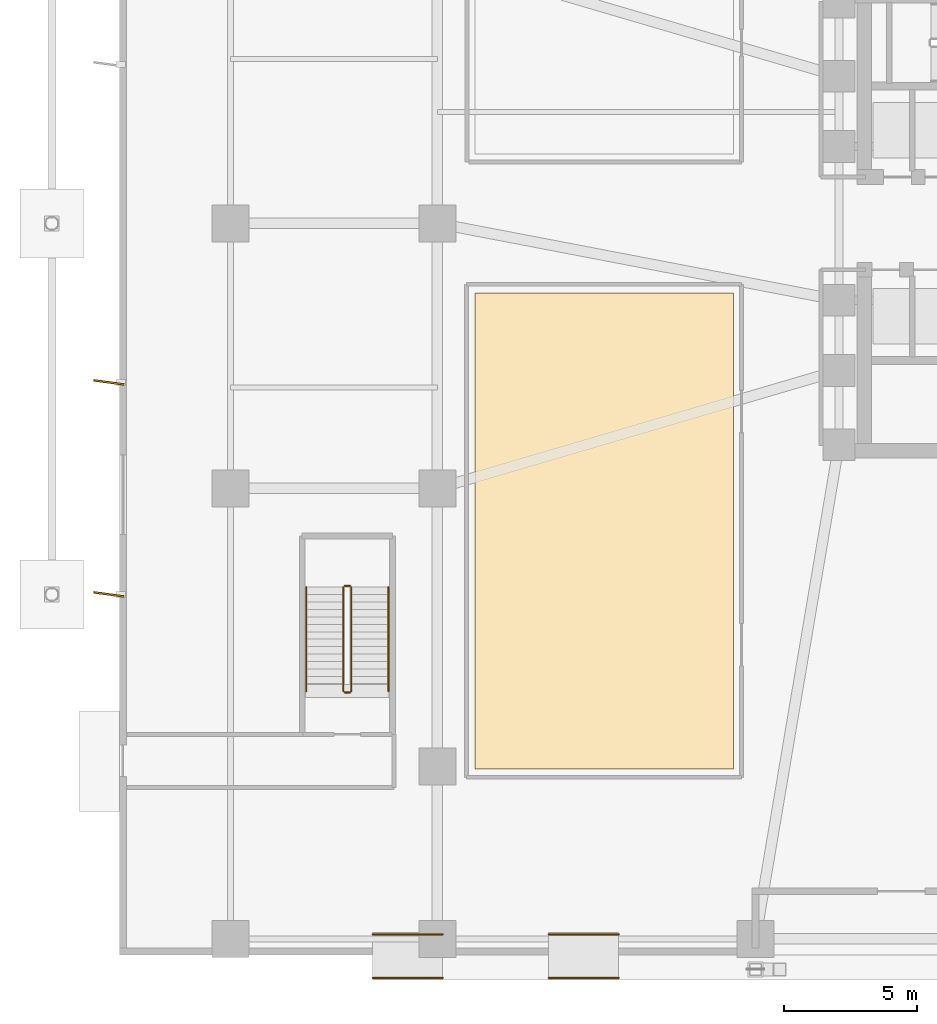
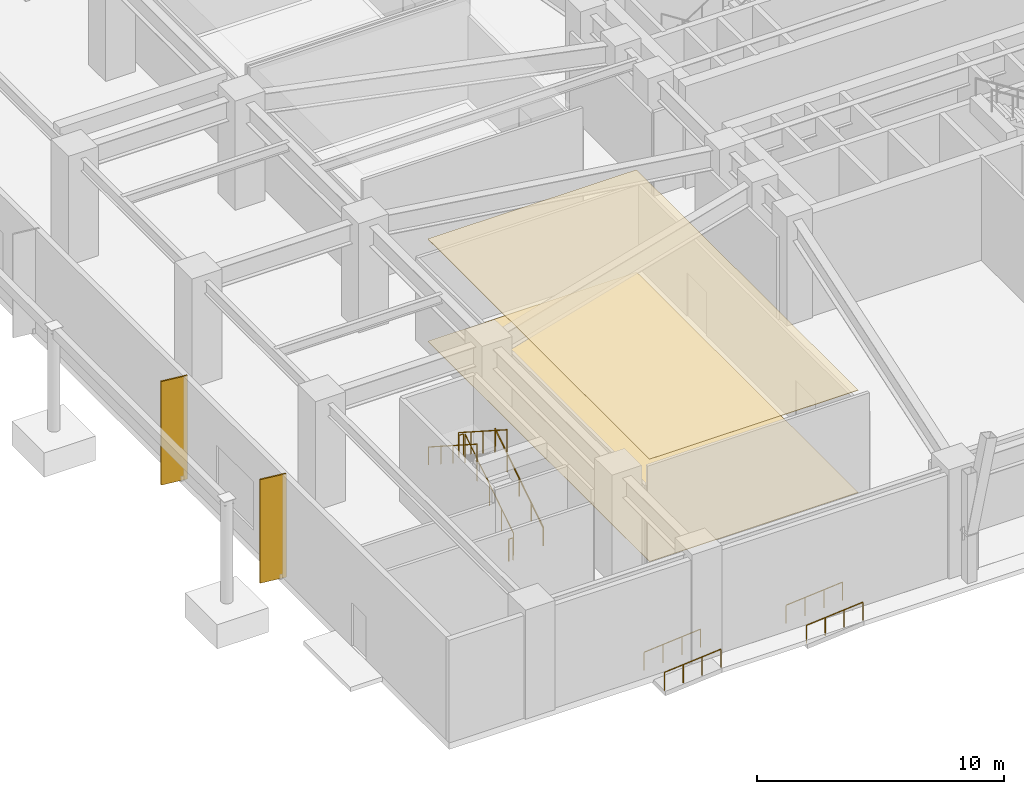
# One storey, part 15 of 20: 10 railings, 2 coverings, 2 shading devices.
"""IFC4 building model written with IfcOpenShell, lengths in metres."""

from ifc_helpers import new_model, si_unit, direction, frame, origin, origin_2d, place, context, subcontext, project, spatial, polyline, rectangle, circle, outline, extrude, material, layer, layer_set, type_object, element, save


model = new_model("IFC4")

# Units and contexts
model_context = context("Model", 3, precision=1e-05, world=origin(), true_north=direction((0.0, 1.0)))
body_context = subcontext(model_context, "Body", "Model", "MODEL_VIEW")
ifc_project = project(units=[si_unit("LENGTHUNIT", "METRE"), si_unit("AREAUNIT", "SQUARE_METRE"), si_unit("VOLUMEUNIT", "CUBIC_METRE"), si_unit("PLANEANGLEUNIT", "RADIAN"), si_unit("MASSUNIT", "GRAM", prefix="KILO")], contexts=[model_context])

# Site, building, storey
site_placement = place(None, origin())
site = spatial("IfcSite", under=ifc_project, at=site_placement, CompositionType="ELEMENT")
building_placement = place(site_placement, origin())
building = spatial("IfcBuilding", under=site, at=building_placement, Name="Solmarez Civic Tower", CompositionType="ELEMENT")
storey_placement = place(building_placement, origin())
storey = spatial("IfcBuildingStorey", under=building, at=storey_placement, Name="L00", CompositionType="ELEMENT", Elevation=0.0)

# Coverings
ifc_material_1 = material(Name="Perforated Mineral-Fibre Acoustic Ceiling")
ifc_layer_1 = layer(ifc_material_1, 0.02490234375)
ifc_layer_set_1 = layer_set([ifc_layer_1], Name="Perforated Mineral-Fibre Acoustic Ceiling")
covering_type_1 = type_object("IfcCoveringType", Name="COV-CEIL-ACOUSTIC", PredefinedType="CEILING", material=ifc_layer_set_1)
covering_1_placement = place(storey_placement, frame((0.0, 0.0, 5.054931640625)))
element("IfcCovering", 1, at=covering_1_placement, inside=storey, type_object=covering_type_1, Name="L00 Suspended Acoustic Ceiling 1", PredefinedType="CEILING", context=body_context, shape_type="SweptSolid", body=[
    extrude(outline(polyline([(-12.820068359375, -20.580078125), (-12.820068359375, -2.6201171875), (-22.580078125, -2.6201171875), (-22.580078125, -20.580078125), (-12.820068359375, -20.580078125)])), origin(), (0.0, 0.0, 1.0), 0.025146484375),
])
ifc_material_2 = material(Name="Polished Tropical Stone Terrazzo Flooring", Category="masonry")
ifc_layer_2 = layer(ifc_material_2, 0.02001953125)
ifc_layer_set_2 = layer_set([ifc_layer_2], Name="Polished Tropical Stone Terrazzo Flooring")
covering_type_2 = type_object("IfcCoveringType", Name="COV-FLOOR-TERRAZZO", PredefinedType="FLOORING", material=ifc_layer_set_2)
covering_2_placement = place(storey_placement, origin())
element("IfcCovering", 2, at=covering_2_placement, inside=storey, type_object=covering_type_2, Name="L00 Terrazzo Floor Finish 1", PredefinedType="FLOORING", context=body_context, shape_type="SweptSolid", body=[
    extrude(outline(polyline([(-12.820068359375, -20.580078125), (-12.820068359375, -2.6201171875), (-22.580078125, -2.6201171875), (-22.580078125, -20.580078125), (-12.820068359375, -20.580078125)])), origin(), (0.0, 0.0, 1.0), 0.02001953125),
])

# Shading devices
ifc_material_3 = material(Name="Bronze Anodised Aluminium EN AW-6063 T6", Category="aluminium")
ifc_layer_3 = layer(ifc_material_3, 0.070068359375)
ifc_layer_set_3 = layer_set([ifc_layer_3], Name="Bronze Anodised Aluminium EN AW-6063 T6")
shading_device_type = type_object("IfcShadingDeviceType", Name="FIN-BRONZE-POD", PredefinedType="USERDEFINED", material=ifc_layer_set_3)
for number, where, z_axis, x_axis, name in (
    (3, (-36.39501953125, -14.0, -0.0400390625), (0.0, 0.0, 1.0), (-0.990983199715, 0.133986185418, 0.0), "L00 Anodised Bronze Solar Fin FIN-L00-W1"),
    (4, (-36.39501953125, -6.0, -0.0400390625), (0.0, 0.0, 1.0), (-0.990983199715, 0.133986185418, 0.0), "L00 Anodised Bronze Solar Fin FIN-L00-W2"),
):
    element("IfcShadingDevice", number, at=place(storey_placement, frame(where, z_axis=z_axis, x_axis=x_axis)), inside=storey, type_object=shading_device_type, Name=name, ObjectType="FIN", PredefinedType="USERDEFINED", context=body_context, shape_type="SweptSolid", body=[
        extrude(rectangle(XDim=1.14990234375, YDim=0.070068359375, at=origin_2d()), origin(), (0.0, 0.0, 1.0), 5.1201171875),
    ])

# Railings
ifc_material_4 = material(Name="Painted Steel Stairwell Safety Guard", Category="steel")
railing_type_1 = type_object("IfcRailingType", Name="GUARD-STAIR-1120", PredefinedType="BALUSTRADE", material=ifc_material_4)
railing_1_placement = place(storey_placement, frame((-27.25, -17.64990234375, 0.179931640625)))
element("IfcRailing", 5, at=railing_1_placement, inside=storey, type_object=railing_type_1, Name="L00 ST-P1 stair guard 1", PredefinedType="BALUSTRADE", context=body_context, shape_type="SweptSolid", body=[
    extrude(circle(Radius=0.02392578125, at=origin_2d()), frame((0.0, 0.0, 1.09619140625), z_axis=(0.0, 0.841171666519, 0.540768182723), x_axis=(-1.0, 0.0, 0.0)), (0.0, 0.0, 1.0), 4.66015625),
    extrude(circle(Radius=0.02099609375, at=origin_2d()), origin(), (0.0, 0.0, 1.0), 1.072021484375),
    extrude(circle(Radius=0.02099609375, at=origin_2d()), frame((0.0, 0.97998046875, 0.6298828125)), (0.0, 0.0, 1.0), 1.072021484375),
    extrude(circle(Radius=0.02099609375, at=origin_2d()), frame((0.0, 1.9599609375, 1.260009765625)), (0.0, 0.0, 1.0), 1.072021484375),
    extrude(circle(Radius=0.02099609375, at=origin_2d()), frame((0.0, 2.93994140625, 1.89013671875)), (0.0, 0.0, 1.0), 1.072021484375),
    extrude(circle(Radius=0.02099609375, at=origin_2d()), frame((0.0, 3.919921875, 2.52001953125)), (0.0, 0.0, 1.0), 1.072021484375),
])
railing_2_placement = place(storey_placement, frame((-27.300048828125, -13.679931640625, 2.699951171875)))
element("IfcRailing", 6, at=railing_2_placement, inside=storey, type_object=railing_type_1, Name="L00 ST-P1 stair guard 2", PredefinedType="BALUSTRADE", context=body_context, shape_type="SweptSolid", body=[
    extrude(circle(Radius=0.02392578125, at=origin_2d()), frame((0.0, 0.0, 1.09619140625), z_axis=(-1.0, 0.0, 0.0), x_axis=(0.0, -1.0, 0.0)), (0.0, 0.0, 1.0), 0.199951171875),
    extrude(circle(Radius=0.02099609375, at=origin_2d()), origin(), (0.0, 0.0, 1.0), 1.072021484375),
    extrude(circle(Radius=0.02099609375, at=origin_2d()), frame((-0.199951171875, 0.0, 0.0)), (0.0, 0.0, 1.0), 1.072021484375),
])
railing_3_placement = place(storey_placement, frame((-27.550048828125, -13.72998046875, 2.8798828125)))
element("IfcRailing", 7, at=railing_3_placement, inside=storey, type_object=railing_type_1, Name="L00 ST-P1 stair guard 3", PredefinedType="BALUSTRADE", context=body_context, shape_type="SweptSolid", body=[
    extrude(circle(Radius=0.02392578125, at=origin_2d()), frame((0.0, 0.0, 1.09619140625), z_axis=(0.0, -0.841171666519, 0.540768182723), x_axis=(1.0, 0.0, 0.0)), (0.0, 0.0, 1.0), 4.66015625),
    extrude(circle(Radius=0.02099609375, at=origin_2d()), origin(), (0.0, 0.0, 1.0), 1.072021484375),
    extrude(circle(Radius=0.02099609375, at=origin_2d()), frame((0.0, -0.97998046875, 0.6298828125)), (0.0, 0.0, 1.0), 1.072021484375),
    extrude(circle(Radius=0.02099609375, at=origin_2d()), frame((0.0, -1.9599609375, 1.260009765625)), (0.0, 0.0, 1.0), 1.072021484375),
    extrude(circle(Radius=0.02099609375, at=origin_2d()), frame((0.0, -2.93994140625, 1.89013671875)), (0.0, 0.0, 1.0), 1.072021484375),
    extrude(circle(Radius=0.02099609375, at=origin_2d()), frame((0.0, -3.919921875, 2.52001953125)), (0.0, 0.0, 1.0), 1.072021484375),
])
railing_4_placement = place(storey_placement, frame((-27.300048828125, -17.699951171875, 0.0)))
element("IfcRailing", 8, at=railing_4_placement, inside=storey, type_object=railing_type_1, Name="L00 ST-P1 stair guard 4", PredefinedType="BALUSTRADE", context=body_context, shape_type="SweptSolid", body=[
    extrude(circle(Radius=0.02392578125, at=origin_2d()), frame((0.0, 0.0, 1.09619140625), z_axis=(-1.0, 0.0, 0.0), x_axis=(0.0, -1.0, 0.0)), (0.0, 0.0, 1.0), 0.199951171875),
    extrude(circle(Radius=0.02099609375, at=origin_2d()), origin(), (0.0, 0.0, 1.0), 1.072021484375),
    extrude(circle(Radius=0.02099609375, at=origin_2d()), frame((-0.199951171875, 0.0, 0.0)), (0.0, 0.0, 1.0), 1.072021484375),
])
ifc_material_5 = material(Name="Brushed Stainless Steel Ramp Handrail", Category="steel")
railing_type_2 = type_object("IfcRailingType", Name="HANDRAIL-RAMP-920", PredefinedType="HANDRAIL", material=ifc_material_5)
for number, where, name in (
    (9, (-19.800048828125, -28.469970703125, -0.219970703125), "South-Central West Plaza Accessible Ramp AR4 Side Handrail 1"),
    (10, (-19.800048828125, -26.830078125, -0.219970703125), "South-Central West Plaza Accessible Ramp AR4 Side Handrail 2"),
):
    element("IfcRailing", number, at=place(storey_placement, frame(where)), inside=storey, type_object=railing_type_2, Name=name, PredefinedType="HANDRAIL", context=body_context, shape_type="SweptSolid", body=[
        extrude(circle(Radius=0.02392578125, at=origin_2d()), frame((0.0, 0.0, 0.89599609375), z_axis=(0.99654702921, 0.0, 0.083030226865), x_axis=(0.0, 1.0, 0.0)), (0.0, 0.0, 1.0), 2.649169921875),
        extrude(circle(Radius=0.02099609375, at=origin_2d()), origin(), (0.0, 0.0, 1.0), 0.871826171875),
        extrude(circle(Radius=0.02099609375, at=origin_2d()), frame((0.880126953125, 0.0, 0.0732421875)), (0.0, 0.0, 1.0), 0.871826171875),
        extrude(circle(Radius=0.02099609375, at=origin_2d()), frame((1.760009765625, 0.0, 0.146728515625)), (0.0, 0.0, 1.0), 0.871826171875),
        extrude(circle(Radius=0.02099609375, at=origin_2d()), frame((2.64013671875, 0.0, 0.219970703125)), (0.0, 0.0, 1.0), 0.871826171875),
    ])
for number, where, name in (
    (11, (-26.43994140625, -28.469970703125, -0.219970703125), "South-West Plaza Accessible Ramp AR1 Side Handrail 1"),
    (12, (-26.43994140625, -26.830078125, -0.219970703125), "South-West Plaza Accessible Ramp AR1 Side Handrail 2"),
):
    element("IfcRailing", number, at=place(storey_placement, frame(where)), inside=storey, type_object=railing_type_2, Name=name, PredefinedType="HANDRAIL", context=body_context, shape_type="SweptSolid", body=[
        extrude(circle(Radius=0.02392578125, at=origin_2d()), frame((0.0, 0.0, 0.89599609375), z_axis=(0.996546393815, 0.0, 0.083037852661), x_axis=(0.0, 1.0, 0.0)), (0.0, 0.0, 1.0), 2.64892578125),
        extrude(circle(Radius=0.02099609375, at=origin_2d()), origin(), (0.0, 0.0, 1.0), 0.871826171875),
        extrude(circle(Radius=0.02099609375, at=origin_2d()), frame((0.8798828125, 0.0, 0.0732421875)), (0.0, 0.0, 1.0), 0.871826171875),
        extrude(circle(Radius=0.02099609375, at=origin_2d()), frame((1.760009765625, 0.0, 0.146728515625)), (0.0, 0.0, 1.0), 0.871826171875),
        extrude(circle(Radius=0.02099609375, at=origin_2d()), frame((2.639892578125, 0.0, 0.219970703125)), (0.0, 0.0, 1.0), 0.871826171875),
    ])
ifc_material_6 = material(Name="Brushed Stainless Steel Tube Handrail", Category="steel")
railing_type_3 = type_object("IfcRailingType", Name="HANDRAIL-STAIR-900", PredefinedType="HANDRAIL", material=ifc_material_6)
railing_5_placement = place(storey_placement, frame((-25.85009765625, -17.64990234375, 0.179931640625)))
element("IfcRailing", 13, at=railing_5_placement, inside=storey, type_object=railing_type_3, Name="L00 ST-P1 stair handrail 1", PredefinedType="HANDRAIL", context=body_context, shape_type="SweptSolid", body=[
    extrude(circle(Radius=0.02392578125, at=origin_2d()), frame((0.0, 0.0, 0.8759765625), z_axis=(0.0, 0.841171666519, 0.540768182723), x_axis=(-1.0, 0.0, 0.0)), (0.0, 0.0, 1.0), 4.66015625),
    extrude(circle(Radius=0.02099609375, at=origin_2d()), origin(), (0.0, 0.0, 1.0), 0.851806640625),
    extrude(circle(Radius=0.02099609375, at=origin_2d()), frame((0.0, 0.97998046875, 0.6298828125)), (0.0, 0.0, 1.0), 0.851806640625),
    extrude(circle(Radius=0.02099609375, at=origin_2d()), frame((0.0, 1.9599609375, 1.260009765625)), (0.0, 0.0, 1.0), 0.851806640625),
    extrude(circle(Radius=0.02099609375, at=origin_2d()), frame((0.0, 2.93994140625, 1.89013671875)), (0.0, 0.0, 1.0), 0.851806640625),
    extrude(circle(Radius=0.02099609375, at=origin_2d()), frame((0.0, 3.919921875, 2.52001953125)), (0.0, 0.0, 1.0), 0.851806640625),
])
railing_6_placement = place(storey_placement, frame((-28.949951171875, -13.72998046875, 2.8798828125)))
element("IfcRailing", 14, at=railing_6_placement, inside=storey, type_object=railing_type_3, Name="L00 ST-P1 stair handrail 2", PredefinedType="HANDRAIL", context=body_context, shape_type="SweptSolid", body=[
    extrude(circle(Radius=0.02392578125, at=origin_2d()), frame((0.0, 0.0, 0.8759765625), z_axis=(0.0, -0.841171666519, 0.540768182723), x_axis=(1.0, 0.0, 0.0)), (0.0, 0.0, 1.0), 4.66015625),
    extrude(circle(Radius=0.02099609375, at=origin_2d()), origin(), (0.0, 0.0, 1.0), 0.851806640625),
    extrude(circle(Radius=0.02099609375, at=origin_2d()), frame((0.0, -0.97998046875, 0.6298828125)), (0.0, 0.0, 1.0), 0.851806640625),
    extrude(circle(Radius=0.02099609375, at=origin_2d()), frame((0.0, -1.9599609375, 1.260009765625)), (0.0, 0.0, 1.0), 0.851806640625),
    extrude(circle(Radius=0.02099609375, at=origin_2d()), frame((0.0, -2.93994140625, 1.89013671875)), (0.0, 0.0, 1.0), 0.851806640625),
    extrude(circle(Radius=0.02099609375, at=origin_2d()), frame((0.0, -3.919921875, 2.52001953125)), (0.0, 0.0, 1.0), 0.851806640625),
])

save(model, "model.ifc")
